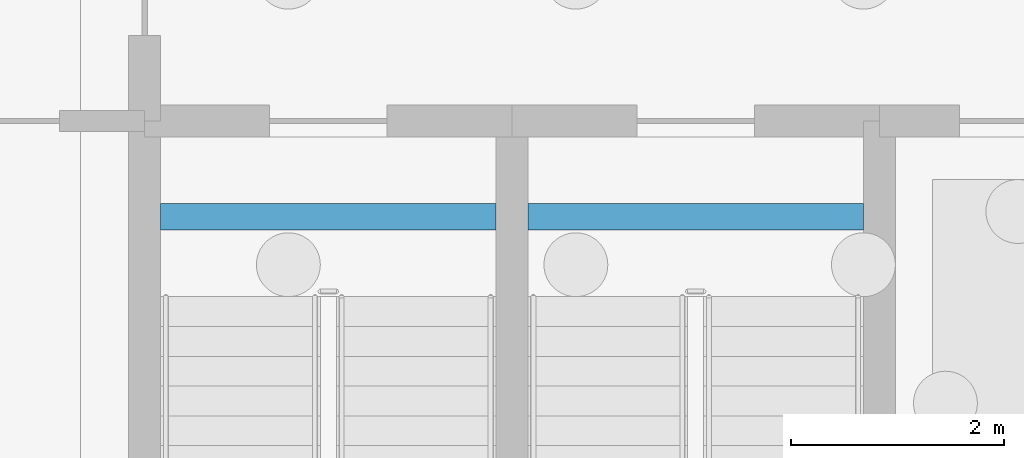
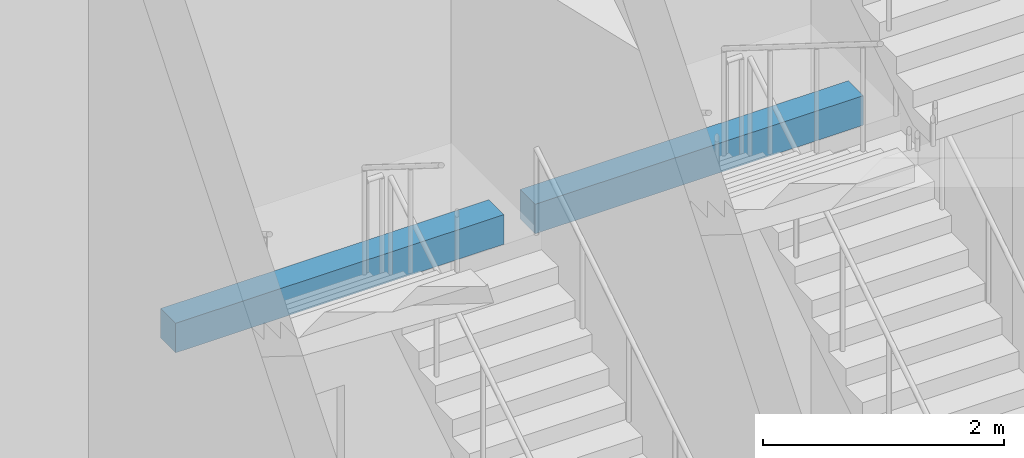
# One storey, part 14 of 54: 2 beams.
"""IFC4 building model written with IfcOpenShell, lengths in metres."""

from ifc_helpers import new_model, si_unit, direction, frame, origin, origin_2d, place, context, subcontext, project, spatial, rectangle, extrude, material, material_profile, profile_set, type_object, element, save


model = new_model("IFC4")

# Units and contexts
model_context = context("Model", 3, precision=1e-05, world=origin(), true_north=direction((0.0, 1.0)))
body_context = subcontext(model_context, "Body", "Model", "MODEL_VIEW")
ifc_project = project(units=[si_unit("LENGTHUNIT", "METRE"), si_unit("AREAUNIT", "SQUARE_METRE"), si_unit("VOLUMEUNIT", "CUBIC_METRE"), si_unit("PLANEANGLEUNIT", "RADIAN"), si_unit("MASSUNIT", "GRAM", prefix="KILO")], contexts=[model_context])

# Site, building, storey
site_placement = place(None, origin())
site = spatial("IfcSite", under=ifc_project, at=site_placement, CompositionType="ELEMENT")
building_placement = place(site_placement, origin())
building = spatial("IfcBuilding", under=site, at=building_placement, Name="Tabaq Tower and Sports Hall", CompositionType="ELEMENT")
storey_placement = place(building_placement, origin())
storey = spatial("IfcBuildingStorey", under=building, at=storey_placement, Name="L00", CompositionType="ELEMENT", Elevation=0.0)

# Beams
ifc_material = material(Name="Concrete C50/60", Category="concrete")
ifc_material_profile = material_profile(ifc_material, rectangle(XDim=0.25, YDim=0.300048828125, at=origin_2d()), Name="RC 250x300")
ifc_profile_set = profile_set([ifc_material_profile], Name="Concrete C50/60")
beam_type = type_object("IfcBeamType", Name="HALL STAIR LANDING BEAM 250x300", PredefinedType="BEAM", material=ifc_profile_set)
beam_1_placement = place(storey_placement, frame((102.75, 7.199951171875, 3.85009765625), z_axis=(1.0, 0.0, 0.0), x_axis=(0.0, 1.0, 0.0)))
element("IfcBeam", 1, at=beam_1_placement, inside=storey, type_object=beam_type, Name="L00 ST-H3 landing beam 2", PredefinedType="BEAM", context=body_context, shape_type="SweptSolid", body=[
    extrude(rectangle(XDim=0.25, YDim=0.300048828125, at=origin_2d()), origin(), (0.0, 0.0, 1.0), 3.14990234375),
])
beam_2_placement = place(storey_placement, frame((106.199951171875, 7.199951171875, 3.85009765625), z_axis=(1.0, 0.0, 0.0), x_axis=(0.0, 1.0, 0.0)))
element("IfcBeam", 2, at=beam_2_placement, inside=storey, type_object=beam_type, Name="L00 ST-H4 landing beam 2", PredefinedType="BEAM", context=body_context, shape_type="SweptSolid", body=[
    extrude(rectangle(XDim=0.25, YDim=0.300048828125, at=origin_2d()), origin(), (0.0, 0.0, 1.0), 3.150146484375),
])

save(model, "model.ifc")
